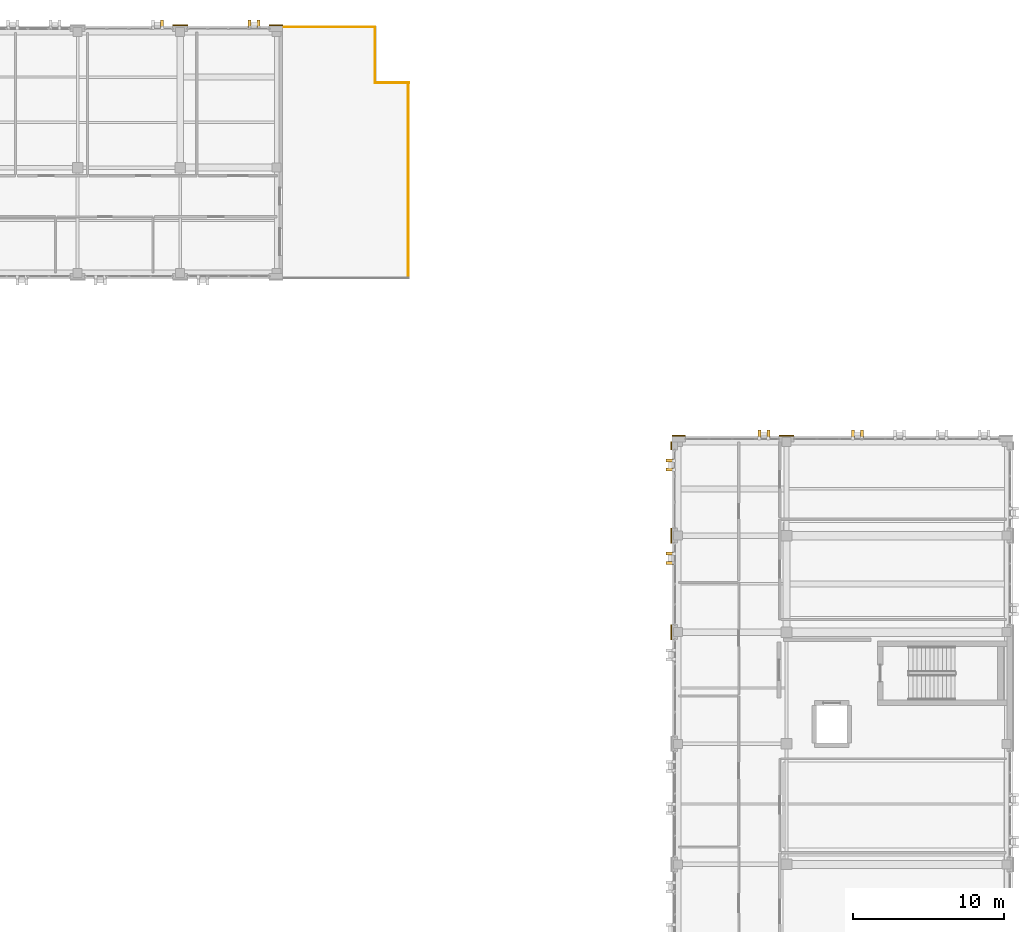
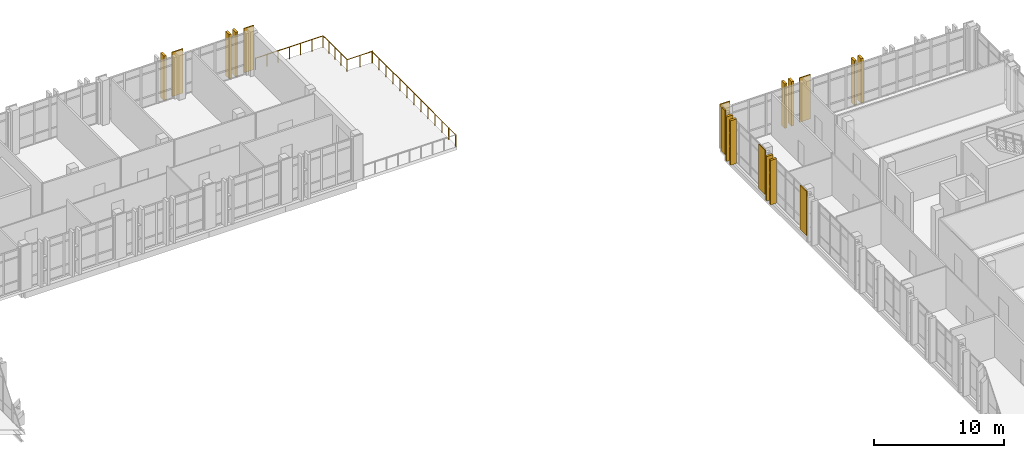
# One storey, part 85 of 90: 18 coverings, 4 railings.
"""IFC4 building model written with IfcOpenShell, lengths in metres."""

from ifc_helpers import new_model, si_unit, direction, frame, origin, origin_2d, place, context, subcontext, project, spatial, rectangle, circle, extrude, material, layer, layer_set, type_object, element, save


model = new_model("IFC4")

# Units and contexts
model_context = context("Model", 3, precision=1e-05, world=origin(), true_north=direction((0.0, 1.0)))
body_context = subcontext(model_context, "Body", "Model", "MODEL_VIEW")
ifc_project = project(units=[si_unit("LENGTHUNIT", "METRE"), si_unit("AREAUNIT", "SQUARE_METRE"), si_unit("VOLUMEUNIT", "CUBIC_METRE"), si_unit("PLANEANGLEUNIT", "RADIAN"), si_unit("MASSUNIT", "GRAM", prefix="KILO")], contexts=[model_context])

# Site, building, storey
site_placement = place(None, origin())
site = spatial("IfcSite", under=ifc_project, at=site_placement, CompositionType="ELEMENT")
building_placement = place(site_placement, origin())
building = spatial("IfcBuilding", under=site, at=building_placement, Name="Qalavern Law Courts", CompositionType="ELEMENT")
storey_placement = place(building_placement, frame((0.0, 0.0, 22.800048828125)))
storey = spatial("IfcBuildingStorey", under=building, at=storey_placement, Name="L05", CompositionType="ELEMENT", Elevation=22.800048828125)

# Railings
ifc_material_1 = material(Name="Steel S355", Category="steel")
railing_type = type_object("IfcRailingType", Name="ENV-BAL-1120", PredefinedType="BALUSTRADE", material=ifc_material_1)
railing_1_placement = place(storey_placement, frame((66.719970703125, 96.280029296875, 0.0)))
element("IfcRailing", 1, at=railing_1_placement, inside=storey, type_object=railing_type, Name="V5 outdoor terrace safety guard L05-2", PredefinedType="BALUSTRADE", context=body_context, shape_type="SweptSolid", body=[
    extrude(circle(Radius=0.02392578125, at=origin_2d()), frame((0.0, 0.0, 1.09619140625), z_axis=(0.0, 1.0, 0.0), x_axis=(-1.0, 0.0, 0.0)), (0.0, 0.0, 1.0), 12.93994140625),
    extrude(circle(Radius=0.02099609375, at=origin_2d()), origin(), (0.0, 0.0, 1.0), 1.072021484375),
    extrude(circle(Radius=0.02099609375, at=origin_2d()), frame((0.0, 1.078369140625, 0.0)), (0.0, 0.0, 1.0), 1.072021484375),
    extrude(circle(Radius=0.02099609375, at=origin_2d()), frame((0.0, 2.15673828125, 0.0)), (0.0, 0.0, 1.0), 1.072021484375),
    extrude(circle(Radius=0.02099609375, at=origin_2d()), frame((0.0, 3.23486328125, 0.0)), (0.0, 0.0, 1.0), 1.072021484375),
    extrude(circle(Radius=0.02099609375, at=origin_2d()), frame((0.0, 4.313232421875, 0.0)), (0.0, 0.0, 1.0), 1.072021484375),
    extrude(circle(Radius=0.02099609375, at=origin_2d()), frame((0.0, 5.3916015625, 0.0)), (0.0, 0.0, 1.0), 1.072021484375),
    extrude(circle(Radius=0.02099609375, at=origin_2d()), frame((0.0, 6.469970703125, 0.0)), (0.0, 0.0, 1.0), 1.072021484375),
    extrude(circle(Radius=0.02099609375, at=origin_2d()), frame((0.0, 7.54833984375, 0.0)), (0.0, 0.0, 1.0), 1.072021484375),
    extrude(circle(Radius=0.02099609375, at=origin_2d()), frame((0.0, 8.626708984375, 0.0)), (0.0, 0.0, 1.0), 1.072021484375),
    extrude(circle(Radius=0.02099609375, at=origin_2d()), frame((0.0, 9.705078125, 0.0)), (0.0, 0.0, 1.0), 1.072021484375),
    extrude(circle(Radius=0.02099609375, at=origin_2d()), frame((0.0, 10.783203125, 0.0)), (0.0, 0.0, 1.0), 1.072021484375),
    extrude(circle(Radius=0.02099609375, at=origin_2d()), frame((0.0, 11.861572265625, 0.0)), (0.0, 0.0, 1.0), 1.072021484375),
    extrude(circle(Radius=0.02099609375, at=origin_2d()), frame((0.0, 12.93994140625, 0.0)), (0.0, 0.0, 1.0), 1.072021484375),
])
railing_2_placement = place(storey_placement, frame((66.780029296875, 109.219970703125, 0.0)))
element("IfcRailing", 2, at=railing_2_placement, inside=storey, type_object=railing_type, Name="V5 outdoor terrace safety guard L05-3", PredefinedType="BALUSTRADE", context=body_context, shape_type="SweptSolid", body=[
    extrude(circle(Radius=0.02392578125, at=origin_2d()), frame((0.0, 0.0, 1.09619140625), z_axis=(-1.0, 0.0, 0.0), x_axis=(0.0, -1.0, 0.0)), (0.0, 0.0, 1.0), 2.260009765625),
    extrude(circle(Radius=0.02099609375, at=origin_2d()), origin(), (0.0, 0.0, 1.0), 1.072021484375),
    extrude(circle(Radius=0.02099609375, at=origin_2d()), frame((-1.1298828125, 0.0, 0.0)), (0.0, 0.0, 1.0), 1.072021484375),
    extrude(circle(Radius=0.02099609375, at=origin_2d()), frame((-2.260009765625, 0.0, 0.0)), (0.0, 0.0, 1.0), 1.072021484375),
])
railing_3_placement = place(storey_placement, frame((64.52001953125, 109.219970703125, 0.0)))
element("IfcRailing", 3, at=railing_3_placement, inside=storey, type_object=railing_type, Name="V5 outdoor terrace safety guard L05-4", PredefinedType="BALUSTRADE", context=body_context, shape_type="SweptSolid", body=[
    extrude(circle(Radius=0.02392578125, at=origin_2d()), frame((0.0, 0.0, 1.09619140625), z_axis=(0.0, 1.0, 0.0), x_axis=(-1.0, 0.0, 0.0)), (0.0, 0.0, 1.0), 3.699951171875),
    extrude(circle(Radius=0.02099609375, at=origin_2d()), origin(), (0.0, 0.0, 1.0), 1.072021484375),
    extrude(circle(Radius=0.02099609375, at=origin_2d()), frame((0.0, 0.925048828125, 0.0)), (0.0, 0.0, 1.0), 1.072021484375),
    extrude(circle(Radius=0.02099609375, at=origin_2d()), frame((0.0, 1.85009765625, 0.0)), (0.0, 0.0, 1.0), 1.072021484375),
    extrude(circle(Radius=0.02099609375, at=origin_2d()), frame((0.0, 2.77490234375, 0.0)), (0.0, 0.0, 1.0), 1.072021484375),
    extrude(circle(Radius=0.02099609375, at=origin_2d()), frame((0.0, 3.699951171875, 0.0)), (0.0, 0.0, 1.0), 1.072021484375),
])
railing_4_placement = place(storey_placement, frame((64.52001953125, 112.919921875, 0.0)))
element("IfcRailing", 4, at=railing_4_placement, inside=storey, type_object=railing_type, Name="V5 outdoor terrace safety guard L05-5", PredefinedType="BALUSTRADE", context=body_context, shape_type="SweptSolid", body=[
    extrude(circle(Radius=0.02392578125, at=origin_2d()), frame((0.0, 0.0, 1.09619140625), z_axis=(-1.0, 0.0, 0.0), x_axis=(0.0, -1.0, 0.0)), (0.0, 0.0, 1.0), 6.02001953125),
    extrude(circle(Radius=0.02099609375, at=origin_2d()), origin(), (0.0, 0.0, 1.0), 1.072021484375),
    extrude(circle(Radius=0.02099609375, at=origin_2d()), frame((-1.00341796875, 0.0, 0.0)), (0.0, 0.0, 1.0), 1.072021484375),
    extrude(circle(Radius=0.02099609375, at=origin_2d()), frame((-2.006591796875, 0.0, 0.0)), (0.0, 0.0, 1.0), 1.072021484375),
    extrude(circle(Radius=0.02099609375, at=origin_2d()), frame((-3.010009765625, 0.0, 0.0)), (0.0, 0.0, 1.0), 1.072021484375),
    extrude(circle(Radius=0.02099609375, at=origin_2d()), frame((-4.013427734375, 0.0, 0.0)), (0.0, 0.0, 1.0), 1.072021484375),
    extrude(circle(Radius=0.02099609375, at=origin_2d()), frame((-5.0166015625, 0.0, 0.0)), (0.0, 0.0, 1.0), 1.072021484375),
    extrude(circle(Radius=0.02099609375, at=origin_2d()), frame((-6.02001953125, 0.0, 0.0)), (0.0, 0.0, 1.0), 1.072021484375),
])

# Coverings
ifc_material_2 = material(Name="Precast concrete C40/50", Category="concrete")
ifc_layer_1 = layer(ifc_material_2, 0.199951171875)
ifc_layer_set_1 = layer_set([ifc_layer_1], Name="Precast concrete C40/50")
covering_type_1 = type_object("IfcCoveringType", Name="ENV-BLD-1", PredefinedType="CLADDING", material=ifc_layer_set_1)
for number, where, z_axis, x_axis, name in (
    (5, (96.800048828125, 85.91748046875, 0.0048828125), (0.0, 0.0, 1.0), (0.0, 1.0, 0.0), "Absheron stone facade blade 0737"),
    (6, (96.199951171875, 85.91748046875, 0.0048828125), (0.0, 0.0, 1.0), (0.0, 1.0, 0.0), "Absheron stone facade blade 0738"),
    (7, (90.60009765625, 85.91748046875, 0.0048828125), (0.0, 0.0, 1.0), (0.0, 1.0, 0.0), "Absheron stone facade blade 0739"),
    (8, (90.0, 85.91748046875, 0.0048828125), (0.0, 0.0, 1.0), (0.0, 1.0, 0.0), "Absheron stone facade blade 0740"),
    (9, (84.08251953125, 84.169921875, 0.0048828125), (0.0, 0.0, 1.0), (-1.0, 0.0, 0.0), "Absheron stone facade blade 0741"),
    (10, (84.08251953125, 83.570068359375, 0.0048828125), (0.0, 0.0, 1.0), (-1.0, 0.0, 0.0), "Absheron stone facade blade 0742"),
    (11, (84.08251953125, 78.0, 0.0048828125), (0.0, 0.0, 1.0), (-1.0, 0.0, 0.0), "Absheron stone facade blade 0743"),
    (12, (84.08251953125, 77.39990234375, 0.0048828125), (0.0, 0.0, 1.0), (-1.0, 0.0, 0.0), "Absheron stone facade blade 0744"),
    (13, (56.800048828125, 113.117431640625, 0.0048828125), (0.0, 0.0, 1.0), (0.0, 1.0, 0.0), "Absheron stone facade blade 1137"),
    (14, (56.199951171875, 113.117431640625, 0.0048828125), (0.0, 0.0, 1.0), (0.0, 1.0, 0.0), "Absheron stone facade blade 1138"),
    (15, (50.39990234375, 113.117431640625, 0.0048828125), (0.0, 0.0, 1.0), (0.0, 1.0, 0.0), "Absheron stone facade blade 1139"),
):
    element("IfcCovering", number, at=place(storey_placement, frame(where, z_axis=z_axis, x_axis=x_axis)), inside=storey, type_object=covering_type_1, Name=name, PredefinedType="CLADDING", context=body_context, shape_type="SweptSolid", body=[
        extrude(rectangle(XDim=0.5400390625, YDim=0.199951171875, at=origin_2d()), origin(), (0.0, 0.0, 1.0), 4.18994140625),
    ])
ifc_layer_2 = layer(ifc_material_2, 0.072021484375)
ifc_layer_set_2 = layer_set([ifc_layer_2], Name="Precast concrete C40/50")
covering_type_2 = type_object("IfcCoveringType", Name="ENV-CLD-2", PredefinedType="CLADDING", material=ifc_layer_set_2)
covering_1_placement = place(storey_placement, frame((91.800048828125, 85.8330078125, 0.009765625), z_axis=(0.0, 0.0, 1.0), x_axis=(-1.0, 0.0, 0.0)))
element("IfcCovering", 16, at=covering_1_placement, inside=storey, type_object=covering_type_2, Name="V4 Absheron limestone pier facing L05 north 2", PredefinedType="CLADDING", context=body_context, shape_type="SweptSolid", body=[
    extrude(rectangle(XDim=0.97998046875, YDim=0.072021484375, at=origin_2d()), origin(), (0.0, 0.0, 1.0), 4.179931640625),
])
covering_2_placement = place(storey_placement, frame((84.64990234375, 85.8330078125, 0.009765625), z_axis=(0.0, 0.0, 1.0), x_axis=(-1.0, 0.0, 0.0)))
element("IfcCovering", 17, at=covering_2_placement, inside=storey, type_object=covering_type_2, Name="V4 Absheron limestone pier facing L05 north 3", PredefinedType="CLADDING", context=body_context, shape_type="SweptSolid", body=[
    extrude(rectangle(XDim=0.8798828125, YDim=0.072021484375, at=origin_2d()), origin(), (0.0, 0.0, 1.0), 4.179931640625),
])
covering_3_placement = place(storey_placement, frame((84.1669921875, 85.14501953125, 0.009765625), z_axis=(0.0, 0.0, 1.0), x_axis=(0.0, -1.0, 0.0)))
element("IfcCovering", 18, at=covering_3_placement, inside=storey, type_object=covering_type_2, Name="V4 Absheron limestone pier facing L05 west 1", PredefinedType="CLADDING", context=body_context, shape_type="SweptSolid", body=[
    extrude(rectangle(XDim=0.530029296875, YDim=0.072021484375, at=origin_2d()), origin(), (0.0, 0.0, 1.0), 4.179931640625),
])
for number, where, z_axis, x_axis, name in (
    (19, (84.1669921875, 79.199951171875, 0.009765625), (0.0, 0.0, 1.0), (0.0, -1.0, 0.0), "V4 Absheron limestone pier facing L05 west 2"),
    (20, (84.1669921875, 72.800048828125, 0.009765625), (0.0, 0.0, 1.0), (0.0, -1.0, 0.0), "V4 Absheron limestone pier facing L05 west 3"),
):
    element("IfcCovering", number, at=place(storey_placement, frame(where, z_axis=z_axis, x_axis=x_axis)), inside=storey, type_object=covering_type_2, Name=name, PredefinedType="CLADDING", context=body_context, shape_type="SweptSolid", body=[
        extrude(rectangle(XDim=0.97998046875, YDim=0.072021484375, at=origin_2d()), origin(), (0.0, 0.0, 1.0), 4.179931640625),
    ])
covering_4_placement = place(storey_placement, frame((57.949951171875, 113.032958984375, 0.009765625), z_axis=(0.0, 0.0, 1.0), x_axis=(-1.0, 0.0, 0.0)))
element("IfcCovering", 21, at=covering_4_placement, inside=storey, type_object=covering_type_2, Name="V5 Absheron limestone pier facing L05 north 1", PredefinedType="CLADDING", context=body_context, shape_type="SweptSolid", body=[
    extrude(rectangle(XDim=0.8798828125, YDim=0.072021484375, at=origin_2d()), origin(), (0.0, 0.0, 1.0), 4.179931640625),
])
covering_5_placement = place(storey_placement, frame((51.60009765625, 113.032958984375, 0.009765625), z_axis=(0.0, 0.0, 1.0), x_axis=(-1.0, 0.0, 0.0)))
element("IfcCovering", 22, at=covering_5_placement, inside=storey, type_object=covering_type_2, Name="V5 Absheron limestone pier facing L05 north 2", PredefinedType="CLADDING", context=body_context, shape_type="SweptSolid", body=[
    extrude(rectangle(XDim=0.97998046875, YDim=0.072021484375, at=origin_2d()), origin(), (0.0, 0.0, 1.0), 4.179931640625),
])

save(model, "model.ifc")
